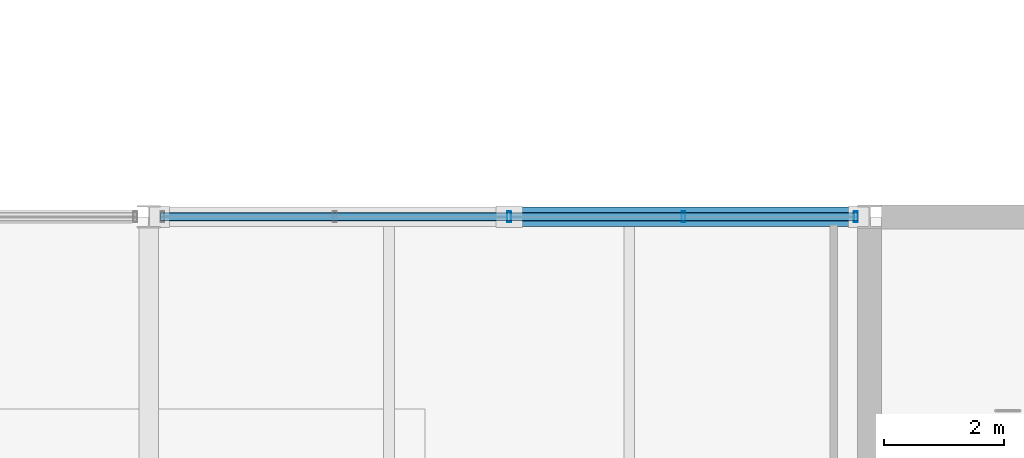
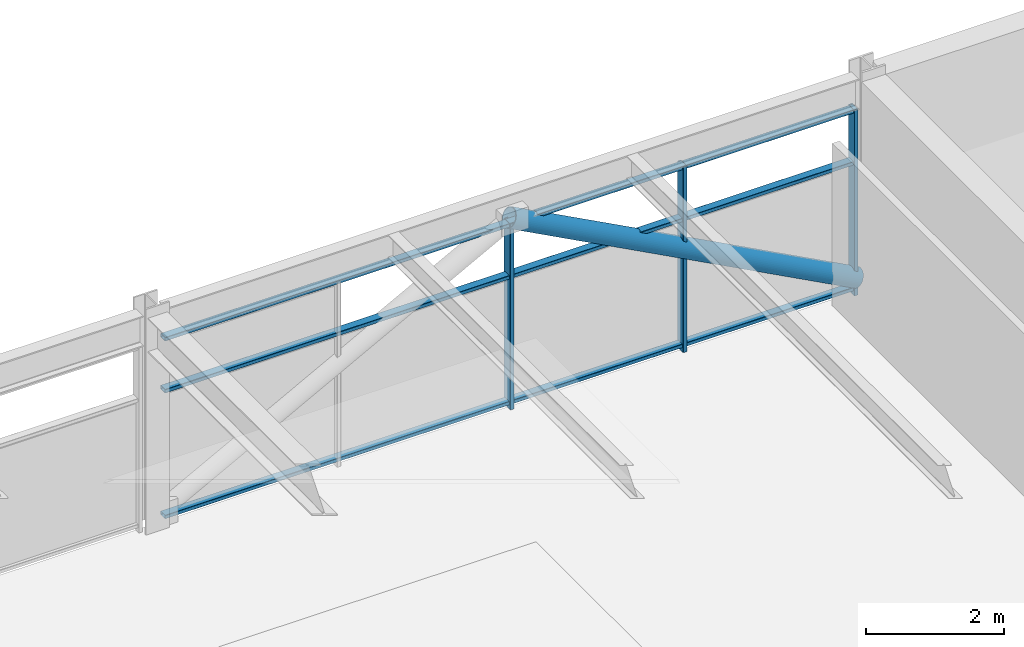
# One storey, part 20 of 49: 7 members, 1 element without a shape of its own.
"""IFC4 building model written with IfcOpenShell, lengths in metres."""

import ifcopenshell
import ifcopenshell.guid

model = None  # the IFC model being written
_history = None  # IfcOwnerHistory: only IFC2X3 demands one
_inside = {}  # id of a spatial element -> (the spatial element, [elements in it])
_under = {}  # id of a project, library or spatial element -> (it, [spatial elements below it])
_declared = {}  # id of a project -> (the project, [libraries it declares])
_typed = {}  # id of a type object -> (the type object, [elements of that type])
_made_of = {}  # id of a material, layer set ... -> (it, [elements and type objects made of it])


def new_model(schema):
    """Start an empty IFC model of exactly this schema.

    Asked for "IFC4X3", IfcOpenShell would pick the latest addendum, in which some entities
    have other attributes; the version numbers below select the first issue.
    IFC2X3 requires an IfcOwnerHistory on every rooted entity: one is made here for all.
    """
    global model, _history
    if schema == "IFC4X3":
        model = ifcopenshell.file(schema_version=(4, 3, 0, 0))
    else:
        model = ifcopenshell.file(schema=schema)
    _inside.clear()
    _under.clear()
    _declared.clear()
    _typed.clear()
    _made_of.clear()
    _history = None
    if model.schema == "IFC2X3":
        org = make("IfcOrganization", Name="unknown")
        user = make(
            "IfcPersonAndOrganization",
            ThePerson=make("IfcPerson", FamilyName="unknown"),
            TheOrganization=org,
        )
        app = make(
            "IfcApplication",
            ApplicationDeveloper=org,
            Version="unknown",
            ApplicationFullName="unknown",
            ApplicationIdentifier="unknown",
        )
        _history = make(
            "IfcOwnerHistory",
            OwningUser=user,
            OwningApplication=app,
            ChangeAction="ADDED",
            CreationDate=0,
        )
    return model


def make(cls, **values):
    """One entity of the class cls with the attributes given. An attribute that is None is left unset."""
    return model.create_entity(
        cls, **{name: value for name, value in values.items() if value is not None}
    )


def rooted(cls, **values):
    """An entity with a GlobalId (a new one), such as an element, a storey or a relation."""
    return make(cls, GlobalId=ifcopenshell.guid.new(), OwnerHistory=_history, **values)


def si_unit(unit_type, name, prefix=None):
    """IfcSIUnit, for example si_unit("LENGTHUNIT", "METRE", prefix="MILLI")."""
    return make("IfcSIUnit", UnitType=unit_type, Prefix=prefix, Name=name)


def assignment(units):
    """IfcUnitAssignment: the units of a project."""
    return None if units is None else make("IfcUnitAssignment", Units=units)


def point(xyz):
    """IfcCartesianPoint."""
    return None if xyz is None else make("IfcCartesianPoint", Coordinates=xyz)


def direction(xyz):
    """IfcDirection."""
    return None if xyz is None else make("IfcDirection", DirectionRatios=xyz)


def frame(location, z_axis=None, x_axis=None):
    """IfcAxis2Placement3D, a coordinate frame: its origin and axes. An axis left out is left unset."""
    return make(
        "IfcAxis2Placement3D",
        Location=point(location),
        Axis=direction(z_axis),
        RefDirection=direction(x_axis),
    )


def frame_2d(location, x_axis=None):
    """IfcAxis2Placement2D, a coordinate frame in the plane: its origin and x axis."""
    return make(
        "IfcAxis2Placement2D", Location=point(location), RefDirection=direction(x_axis)
    )


def origin():
    """The frame at (0, 0, 0) with its axes left unset."""
    return frame((0.0, 0.0, 0.0))


def origin_2d():
    """The frame at (0, 0) in the plane with its x axis left unset."""
    return frame_2d((0.0, 0.0))


def place(relative_to, where):
    """IfcLocalPlacement: puts the frame where relative to a parent placement (None: the world)."""
    return make(
        "IfcLocalPlacement", PlacementRelTo=relative_to, RelativePlacement=where
    )


def context(
    kind, dimensions, precision=None, world=None, true_north=None, identifier=None
):
    """IfcGeometricRepresentationContext, for example the 3D "Model" context."""
    return make(
        "IfcGeometricRepresentationContext",
        ContextIdentifier=identifier,
        ContextType=kind,
        CoordinateSpaceDimension=dimensions,
        Precision=precision,
        WorldCoordinateSystem=world,
        TrueNorth=true_north,
    )


def subcontext(parent, identifier, kind, view, scale=None):
    """IfcGeometricRepresentationSubContext, for example "Body" below "Model"."""
    return make(
        "IfcGeometricRepresentationSubContext",
        ContextIdentifier=identifier,
        ContextType=kind,
        ParentContext=parent,
        TargetScale=scale,
        TargetView=view,
    )


def project(units=None, contexts=None):
    """IfcProject with its units and contexts."""
    return rooted(
        "IfcProject",
        Name="project",
        RepresentationContexts=contexts,
        UnitsInContext=assignment(units),
    )


def spatial(cls, under=None, at=None, **own):
    """A site, building, storey or space (cls), placed at a placement, below another one or the project."""
    s = rooted(cls, ObjectPlacement=at, **own)
    if under is not None:
        _under.setdefault(under.id(), (under, []))[1].append(s)
    return s


def profile(cls, at=None, kind="AREA", **sizes):
    """A parametric profile (cls). Its sizes go by their IFC names, for example OverallWidth=200.0."""
    return make(cls, ProfileType=kind, Position=at, **sizes)


def hollow_rectangle(**sizes):
    """IfcRectangleHollowProfileDef."""
    return profile("IfcRectangleHollowProfileDef", **sizes)


def hollow_circle(**sizes):
    """IfcCircleHollowProfileDef."""
    return profile("IfcCircleHollowProfileDef", **sizes)


def extrude(swept, where, along, depth):
    """IfcExtrudedAreaSolid: the profile swept, set in the frame where, extruded along a direction by depth."""
    return make(
        "IfcExtrudedAreaSolid",
        SweptArea=swept,
        Position=where,
        ExtrudedDirection=direction(along),
        Depth=depth,
    )


def shape(context_of_items, identifier, shape_type, items):
    """IfcShapeRepresentation: the items that make up one representation, for example the "Body"."""
    return make(
        "IfcShapeRepresentation",
        ContextOfItems=context_of_items,
        RepresentationIdentifier=identifier,
        RepresentationType=shape_type,
        Items=items,
    )


def material(Name=None, Category=None):
    """IfcMaterial."""
    return make("IfcMaterial", Name=Name, Category=Category)


def material_profile(
    of_material, cross_section, Name=None, Category=None, Priority=None
):
    """IfcMaterialProfile: a cross section and its material."""
    return make(
        "IfcMaterialProfile",
        Name=Name,
        Material=of_material,
        Profile=cross_section,
        Priority=Priority,
        Category=Category,
    )


def profile_set(profiles, Name=None, composite=None):
    """IfcMaterialProfileSet."""
    return make(
        "IfcMaterialProfileSet",
        Name=Name,
        MaterialProfiles=profiles,
        CompositeProfile=composite,
    )


def made_of(thing, what):
    """Note that an element or type object is made of a material, layer set ...; save() writes the relation."""
    if what is not None:
        _made_of.setdefault(what.id(), (what, []))[1].append(thing)
    return thing


def type_object(cls, material=None, **own):
    """A type object (cls), such as IfcWallType, which elements share."""
    return made_of(rooted(cls, **own), material)


def element(
    cls,
    number,
    at=None,
    inside=None,
    cuts=None,
    type_object=None,
    material=None,
    context=None,
    identifier="Body",
    shape_type=None,
    held_by="IfcProductDefinitionShape",
    body=None,
    shapes=None,
    **own,
):
    """One element of the class cls, such as IfcWall. Its Tag is "e" and its number.

    at: its placement. inside: the storey or other place that contains it. cuts: it is an
    opening in that element (IfcRelVoidsElement). A single representation is given by context,
    identifier, shape_type and body (its items); several are given by shapes. held_by: the class
    of the entity that holds the representations. save() writes the other relations.
    """
    e = rooted(cls, Tag="e%d" % number, ObjectPlacement=at, **own)
    if body is not None:
        shapes = [shape(context, identifier, shape_type, body)]
    if shapes is not None:
        e.Representation = make(held_by, Representations=shapes)
    if inside is not None:
        _inside.setdefault(inside.id(), (inside, []))[1].append(e)
    if cuts is not None:
        rooted(
            "IfcRelVoidsElement", RelatingBuildingElement=cuts, RelatedOpeningElement=e
        )
    if type_object is not None:
        _typed.setdefault(type_object.id(), (type_object, []))[1].append(e)
    return made_of(e, material)


def aggregate(whole, parts):
    """IfcRelAggregates: a whole, such as a stair, and the parts it consists of."""
    return rooted("IfcRelAggregates", RelatingObject=whole, RelatedObjects=parts)


def save(model, path):
    """Write the relations noted so far, then the file.

    IfcRelAggregates (storeys below a building ...), IfcRelContainedInSpatialStructure (elements
    in a storey), IfcRelDefinesByType, IfcRelAssociatesMaterial and IfcRelDeclares: one each for
    every whole, place, type object, material and project.
    """
    for whole, parts in _under.values():
        aggregate(whole, parts)
    for where, things in _inside.values():
        rooted(
            "IfcRelContainedInSpatialStructure",
            RelatedElements=things,
            RelatingStructure=where,
        )
    for kind, things in _typed.values():
        rooted("IfcRelDefinesByType", RelatedObjects=things, RelatingType=kind)
    for what, things in _made_of.values():
        rooted("IfcRelAssociatesMaterial", RelatedObjects=things, RelatingMaterial=what)
    for by, libraries in _declared.values():
        rooted("IfcRelDeclares", RelatingContext=by, RelatedDefinitions=libraries)
    model.write(path)


model = new_model("IFC4")

# Units and contexts
model_context = context("Model", 3, precision=1e-05, world=origin(), true_north=direction((0.0, 1.0)))
body_context = subcontext(model_context, "Body", "Model", "MODEL_VIEW")
ifc_project = project(units=[si_unit("LENGTHUNIT", "METRE"), si_unit("AREAUNIT", "SQUARE_METRE"), si_unit("VOLUMEUNIT", "CUBIC_METRE"), si_unit("PLANEANGLEUNIT", "RADIAN"), si_unit("MASSUNIT", "GRAM", prefix="KILO")], contexts=[model_context])

# Site, building, storey
site_placement = place(None, origin())
site = spatial("IfcSite", under=ifc_project, at=site_placement, CompositionType="ELEMENT")
building_placement = place(site_placement, origin())
building = spatial("IfcBuilding", under=site, at=building_placement, Name="Girod Span Mobility Hub", CompositionType="ELEMENT")
storey_placement = place(building_placement, frame((0.0, 0.0, 37.60009765625)))
storey = spatial("IfcBuildingStorey", under=building, at=storey_placement, Name="L09", CompositionType="ELEMENT", Elevation=37.60009765625)

# Curtain wall, members
ifc_material_1 = material(Name="Thermally Broken Anodised Aluminium", Category="aluminium")
curtain_wall_type = type_object("IfcCurtainWallType", Name="CW-1161X329", PredefinedType="USERDEFINED", material=ifc_material_1)
curtain_wall_placement = place(storey_placement, origin())
curtain_wall = element("IfcCurtainWall", 1, at=curtain_wall_placement, inside=storey, type_object=curtain_wall_type, Name="Unitised Curtain Wall CW-L09-N04 L09", ObjectType="UNITISED CURTAIN WALL", PredefinedType="USERDEFINED")
ifc_material_2 = material(Name="Thermally Broken Anodised Aluminium", Category="aluminium")
ifc_material_profile_1 = material_profile(ifc_material_2, hollow_rectangle(XDim=0.179931640625, YDim=0.06494140625, WallThickness=0.00390625, InnerFilletRadius=0.00390625, OuterFilletRadius=0.008056640625, at=origin_2d()), Name="CW-ML-65X180")
ifc_profile_set_1 = profile_set([ifc_material_profile_1], Name="Thermally Broken Anodised Aluminium")
member_type_1 = type_object("IfcMemberType", Name="CWM-ML-2", PredefinedType="MULLION", material=ifc_profile_set_1)
member_1_placement = place(storey_placement, frame((41.998779296875, 69.0, 0.0), z_axis=(0.0, 0.0, 1.0), x_axis=(0.0, 1.0, 0.0)))
member_1 = element("IfcMember", 2, at=member_1_placement, type_object=member_type_1, Name="Curtain Wall Mullion CW-L09-N04-M2", PredefinedType="MULLION", context=body_context, shape_type="SweptSolid", body=[
    extrude(hollow_rectangle(XDim=0.179931640625, YDim=0.06494140625, WallThickness=0.00390625, InnerFilletRadius=0.00390625, OuterFilletRadius=0.008056640625, at=origin_2d()), origin(), (0.0, 0.0, 1.0), 3.291015625),
])
member_2_placement = place(storey_placement, frame((44.900634765625, 69.0, 0.0), z_axis=(0.0, 0.0, 1.0), x_axis=(0.0, 1.0, 0.0)))
member_2 = element("IfcMember", 3, at=member_2_placement, type_object=member_type_1, Name="Curtain Wall Mullion CW-L09-N04-M3", PredefinedType="MULLION", context=body_context, shape_type="SweptSolid", body=[
    extrude(hollow_rectangle(XDim=0.179931640625, YDim=0.06494140625, WallThickness=0.00390625, InnerFilletRadius=0.00390625, OuterFilletRadius=0.008056640625, at=origin_2d()), origin(), (0.0, 0.0, 1.0), 3.291015625),
])
member_3_placement = place(storey_placement, frame((47.7705078125, 69.0, 0.0), z_axis=(0.0, 0.0, 1.0), x_axis=(0.0, 1.0, 0.0)))
member_3 = element("IfcMember", 4, at=member_3_placement, type_object=member_type_1, Name="Curtain Wall Mullion CW-L09-N04-M4", PredefinedType="MULLION", context=body_context, shape_type="SweptSolid", body=[
    extrude(hollow_rectangle(XDim=0.179931640625, YDim=0.06494140625, WallThickness=0.00390625, InnerFilletRadius=0.00390625, OuterFilletRadius=0.008056640625, at=origin_2d()), origin(), (0.0, 0.0, 1.0), 3.291015625),
])
ifc_material_3 = material(Name="Thermally Broken Anodised Aluminium", Category="aluminium")
ifc_material_profile_2 = material_profile(ifc_material_3, hollow_rectangle(XDim=0.135009765625, YDim=0.06494140625, WallThickness=0.00390625, InnerFilletRadius=0.00390625, OuterFilletRadius=0.008056640625, at=origin_2d()), Name="CW-TR-65X135")
ifc_profile_set_2 = profile_set([ifc_material_profile_2], Name="Thermally Broken Anodised Aluminium")
member_type_2 = type_object("IfcMemberType", Name="CWM-TR-2", PredefinedType="USERDEFINED", material=ifc_profile_set_2)
member_4_placement = place(storey_placement, frame((36.195068359375, 69.0, 0.107421875), z_axis=(1.0, 0.0, 0.0), x_axis=(0.0, 1.0, 0.0)))
member_4 = element("IfcMember", 5, at=member_4_placement, type_object=member_type_2, Name="Curtain Wall Transom CW-L09-N04-T1", ObjectType="TRANSOM", PredefinedType="USERDEFINED", context=body_context, shape_type="SweptSolid", body=[
    extrude(hollow_rectangle(XDim=0.135009765625, YDim=0.06494140625, WallThickness=0.00390625, InnerFilletRadius=0.00390625, OuterFilletRadius=0.008056640625, at=origin_2d()), origin(), (0.0, 0.0, 1.0), 11.607421875),
])
member_5_placement = place(storey_placement, frame((36.195068359375, 69.0, 2.3369140625), z_axis=(1.0, 0.0, 0.0), x_axis=(0.0, 1.0, 0.0)))
member_5 = element("IfcMember", 6, at=member_5_placement, type_object=member_type_2, Name="Curtain Wall Transom CW-L09-N04-T2", ObjectType="TRANSOM", PredefinedType="USERDEFINED", context=body_context, shape_type="SweptSolid", body=[
    extrude(hollow_rectangle(XDim=0.135009765625, YDim=0.06494140625, WallThickness=0.00390625, InnerFilletRadius=0.00390625, OuterFilletRadius=0.008056640625, at=origin_2d()), origin(), (0.0, 0.0, 1.0), 11.607421875),
])
member_6_placement = place(storey_placement, frame((36.195068359375, 69.0, 3.25830078125), z_axis=(1.0, 0.0, 0.0), x_axis=(0.0, 1.0, 0.0)))
member_6 = element("IfcMember", 7, at=member_6_placement, type_object=member_type_2, Name="Curtain Wall Transom CW-L09-N04-T3", ObjectType="TRANSOM", PredefinedType="USERDEFINED", context=body_context, shape_type="SweptSolid", body=[
    extrude(hollow_rectangle(XDim=0.135009765625, YDim=0.06494140625, WallThickness=0.00390625, InnerFilletRadius=0.00390625, OuterFilletRadius=0.008056640625, at=origin_2d()), origin(), (0.0, 0.0, 1.0), 11.607421875),
])
aggregate(curtain_wall, [member_1, member_2, member_3, member_4, member_5, member_6])

# Member
ifc_material_4 = material(Name="Steel HSS A500 Grade C", Category="steel")
ifc_material_profile_3 = material_profile(ifc_material_4, hollow_circle(Radius=0.162109375, WallThickness=0.01171875, at=origin_2d()), Name="HSS324X12.7")
ifc_profile_set_3 = profile_set([ifc_material_profile_3], Name="Steel HSS A500 Grade C")
member_type_3 = type_object("IfcMemberType", Name="MB-BR-HSS324", PredefinedType="BRACE", material=ifc_profile_set_3)
member_7_placement = place(storey_placement, frame((47.820556640625, 69.0, 0.25), z_axis=(-0.882571117743, 0.0, 0.470178925651), x_axis=(0.0, -1.0, 0.0)))
element("IfcMember", 8, at=member_7_placement, inside=storey, type_object=member_type_3, Name="Upper Diagrid Brace 4/F-R L09", PredefinedType="BRACE", context=body_context, shape_type="SweptSolid", body=[
    extrude(hollow_circle(Radius=0.162109375, WallThickness=0.01171875, at=origin_2d()), origin(), (0.0, 0.0, 1.0), 6.594970703125),
])

save(model, "model.ifc")
